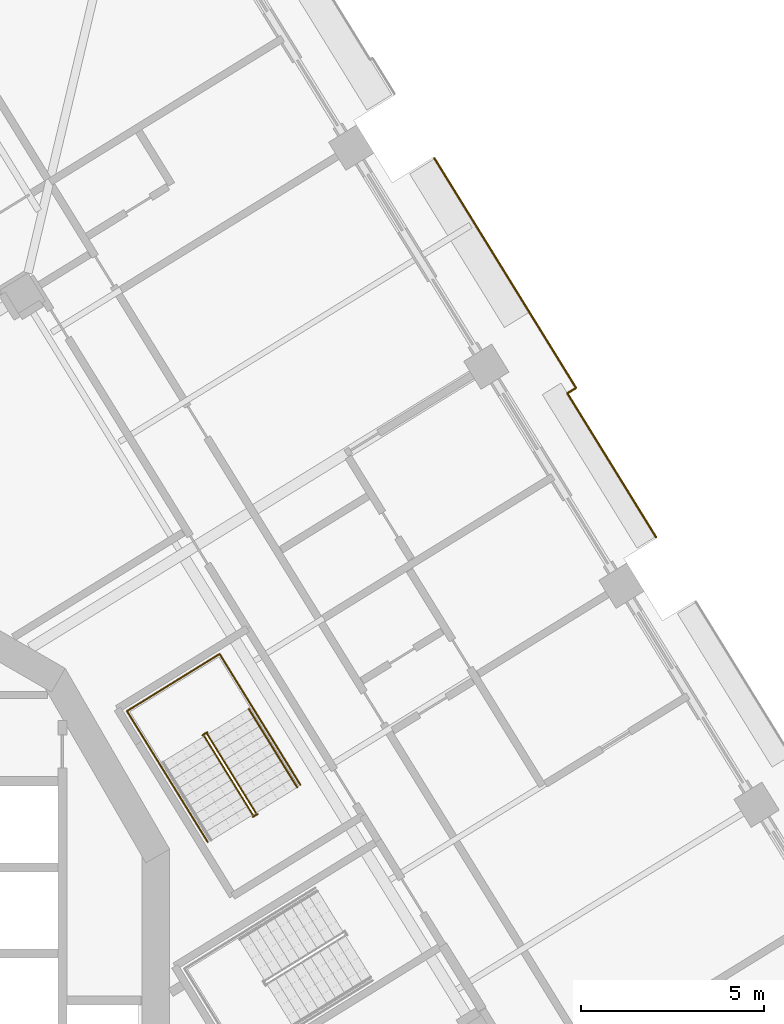
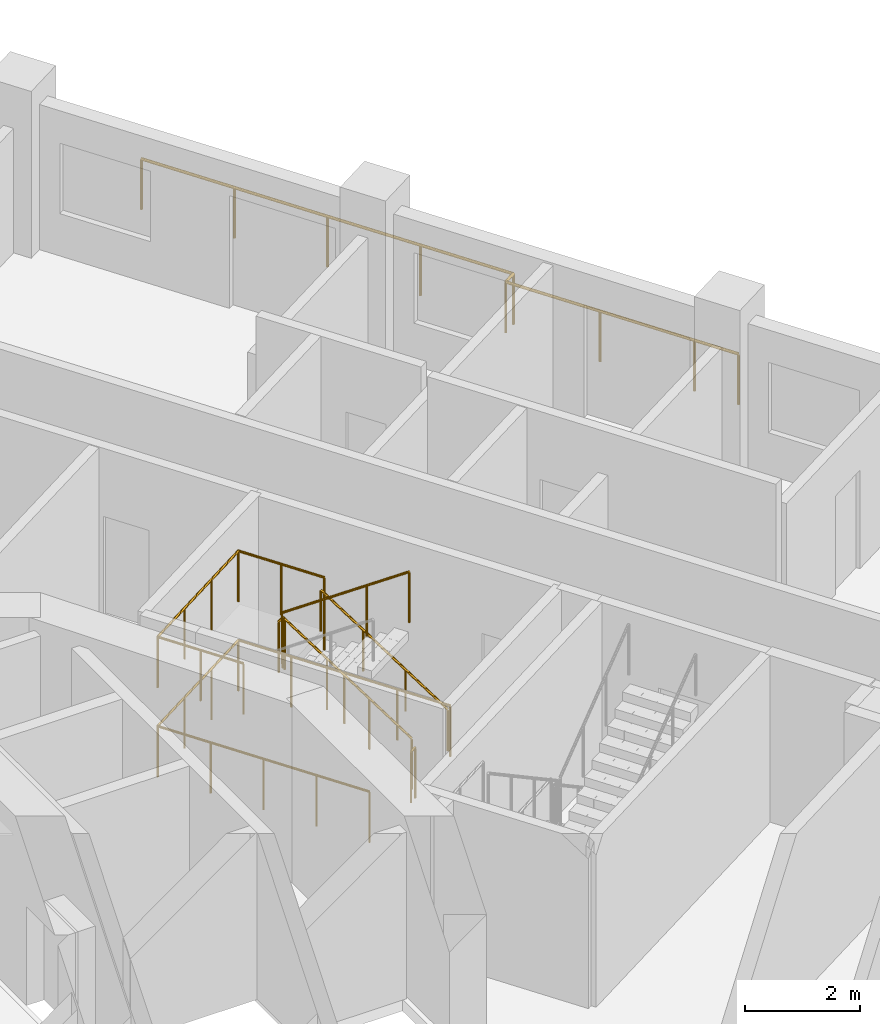
# One storey, part 20 of 22: 8 railings.
"""IFC4 building model written with IfcOpenShell, lengths in metres."""

import ifcopenshell
import ifcopenshell.guid

model = None  # the IFC model being written
_history = None  # IfcOwnerHistory: only IFC2X3 demands one
_inside = {}  # id of a spatial element -> (the spatial element, [elements in it])
_under = {}  # id of a project, library or spatial element -> (it, [spatial elements below it])
_declared = {}  # id of a project -> (the project, [libraries it declares])
_typed = {}  # id of a type object -> (the type object, [elements of that type])
_made_of = {}  # id of a material, layer set ... -> (it, [elements and type objects made of it])


def new_model(schema):
    """Start an empty IFC model of exactly this schema.

    Asked for "IFC4X3", IfcOpenShell would pick the latest addendum, in which some entities
    have other attributes; the version numbers below select the first issue.
    IFC2X3 requires an IfcOwnerHistory on every rooted entity: one is made here for all.
    """
    global model, _history
    if schema == "IFC4X3":
        model = ifcopenshell.file(schema_version=(4, 3, 0, 0))
    else:
        model = ifcopenshell.file(schema=schema)
    _inside.clear()
    _under.clear()
    _declared.clear()
    _typed.clear()
    _made_of.clear()
    _history = None
    if model.schema == "IFC2X3":
        org = make("IfcOrganization", Name="unknown")
        user = make(
            "IfcPersonAndOrganization",
            ThePerson=make("IfcPerson", FamilyName="unknown"),
            TheOrganization=org,
        )
        app = make(
            "IfcApplication",
            ApplicationDeveloper=org,
            Version="unknown",
            ApplicationFullName="unknown",
            ApplicationIdentifier="unknown",
        )
        _history = make(
            "IfcOwnerHistory",
            OwningUser=user,
            OwningApplication=app,
            ChangeAction="ADDED",
            CreationDate=0,
        )
    return model


def make(cls, **values):
    """One entity of the class cls with the attributes given. An attribute that is None is left unset."""
    return model.create_entity(
        cls, **{name: value for name, value in values.items() if value is not None}
    )


def rooted(cls, **values):
    """An entity with a GlobalId (a new one), such as an element, a storey or a relation."""
    return make(cls, GlobalId=ifcopenshell.guid.new(), OwnerHistory=_history, **values)


def si_unit(unit_type, name, prefix=None):
    """IfcSIUnit, for example si_unit("LENGTHUNIT", "METRE", prefix="MILLI")."""
    return make("IfcSIUnit", UnitType=unit_type, Prefix=prefix, Name=name)


def assignment(units):
    """IfcUnitAssignment: the units of a project."""
    return None if units is None else make("IfcUnitAssignment", Units=units)


def point(xyz):
    """IfcCartesianPoint."""
    return None if xyz is None else make("IfcCartesianPoint", Coordinates=xyz)


def direction(xyz):
    """IfcDirection."""
    return None if xyz is None else make("IfcDirection", DirectionRatios=xyz)


def frame(location, z_axis=None, x_axis=None):
    """IfcAxis2Placement3D, a coordinate frame: its origin and axes. An axis left out is left unset."""
    return make(
        "IfcAxis2Placement3D",
        Location=point(location),
        Axis=direction(z_axis),
        RefDirection=direction(x_axis),
    )


def frame_2d(location, x_axis=None):
    """IfcAxis2Placement2D, a coordinate frame in the plane: its origin and x axis."""
    return make(
        "IfcAxis2Placement2D", Location=point(location), RefDirection=direction(x_axis)
    )


def origin():
    """The frame at (0, 0, 0) with its axes left unset."""
    return frame((0.0, 0.0, 0.0))


def origin_2d():
    """The frame at (0, 0) in the plane with its x axis left unset."""
    return frame_2d((0.0, 0.0))


def place(relative_to, where):
    """IfcLocalPlacement: puts the frame where relative to a parent placement (None: the world)."""
    return make(
        "IfcLocalPlacement", PlacementRelTo=relative_to, RelativePlacement=where
    )


def context(
    kind, dimensions, precision=None, world=None, true_north=None, identifier=None
):
    """IfcGeometricRepresentationContext, for example the 3D "Model" context."""
    return make(
        "IfcGeometricRepresentationContext",
        ContextIdentifier=identifier,
        ContextType=kind,
        CoordinateSpaceDimension=dimensions,
        Precision=precision,
        WorldCoordinateSystem=world,
        TrueNorth=true_north,
    )


def subcontext(parent, identifier, kind, view, scale=None):
    """IfcGeometricRepresentationSubContext, for example "Body" below "Model"."""
    return make(
        "IfcGeometricRepresentationSubContext",
        ContextIdentifier=identifier,
        ContextType=kind,
        ParentContext=parent,
        TargetScale=scale,
        TargetView=view,
    )


def project(units=None, contexts=None):
    """IfcProject with its units and contexts."""
    return rooted(
        "IfcProject",
        Name="project",
        RepresentationContexts=contexts,
        UnitsInContext=assignment(units),
    )


def spatial(cls, under=None, at=None, **own):
    """A site, building, storey or space (cls), placed at a placement, below another one or the project."""
    s = rooted(cls, ObjectPlacement=at, **own)
    if under is not None:
        _under.setdefault(under.id(), (under, []))[1].append(s)
    return s


def profile(cls, at=None, kind="AREA", **sizes):
    """A parametric profile (cls). Its sizes go by their IFC names, for example OverallWidth=200.0."""
    return make(cls, ProfileType=kind, Position=at, **sizes)


def circle(**sizes):
    """IfcCircleProfileDef."""
    return profile("IfcCircleProfileDef", **sizes)


def extrude(swept, where, along, depth):
    """IfcExtrudedAreaSolid: the profile swept, set in the frame where, extruded along a direction by depth."""
    return make(
        "IfcExtrudedAreaSolid",
        SweptArea=swept,
        Position=where,
        ExtrudedDirection=direction(along),
        Depth=depth,
    )


def shape(context_of_items, identifier, shape_type, items):
    """IfcShapeRepresentation: the items that make up one representation, for example the "Body"."""
    return make(
        "IfcShapeRepresentation",
        ContextOfItems=context_of_items,
        RepresentationIdentifier=identifier,
        RepresentationType=shape_type,
        Items=items,
    )


def material(Name=None, Category=None):
    """IfcMaterial."""
    return make("IfcMaterial", Name=Name, Category=Category)


def made_of(thing, what):
    """Note that an element or type object is made of a material, layer set ...; save() writes the relation."""
    if what is not None:
        _made_of.setdefault(what.id(), (what, []))[1].append(thing)
    return thing


def type_object(cls, material=None, **own):
    """A type object (cls), such as IfcWallType, which elements share."""
    return made_of(rooted(cls, **own), material)


def element(
    cls,
    number,
    at=None,
    inside=None,
    cuts=None,
    type_object=None,
    material=None,
    context=None,
    identifier="Body",
    shape_type=None,
    held_by="IfcProductDefinitionShape",
    body=None,
    shapes=None,
    **own,
):
    """One element of the class cls, such as IfcWall. Its Tag is "e" and its number.

    at: its placement. inside: the storey or other place that contains it. cuts: it is an
    opening in that element (IfcRelVoidsElement). A single representation is given by context,
    identifier, shape_type and body (its items); several are given by shapes. held_by: the class
    of the entity that holds the representations. save() writes the other relations.
    """
    e = rooted(cls, Tag="e%d" % number, ObjectPlacement=at, **own)
    if body is not None:
        shapes = [shape(context, identifier, shape_type, body)]
    if shapes is not None:
        e.Representation = make(held_by, Representations=shapes)
    if inside is not None:
        _inside.setdefault(inside.id(), (inside, []))[1].append(e)
    if cuts is not None:
        rooted(
            "IfcRelVoidsElement", RelatingBuildingElement=cuts, RelatedOpeningElement=e
        )
    if type_object is not None:
        _typed.setdefault(type_object.id(), (type_object, []))[1].append(e)
    return made_of(e, material)


def aggregate(whole, parts):
    """IfcRelAggregates: a whole, such as a stair, and the parts it consists of."""
    return rooted("IfcRelAggregates", RelatingObject=whole, RelatedObjects=parts)


def save(model, path):
    """Write the relations noted so far, then the file.

    IfcRelAggregates (storeys below a building ...), IfcRelContainedInSpatialStructure (elements
    in a storey), IfcRelDefinesByType, IfcRelAssociatesMaterial and IfcRelDeclares: one each for
    every whole, place, type object, material and project.
    """
    for whole, parts in _under.values():
        aggregate(whole, parts)
    for where, things in _inside.values():
        rooted(
            "IfcRelContainedInSpatialStructure",
            RelatedElements=things,
            RelatingStructure=where,
        )
    for kind, things in _typed.values():
        rooted("IfcRelDefinesByType", RelatedObjects=things, RelatingType=kind)
    for what, things in _made_of.values():
        rooted("IfcRelAssociatesMaterial", RelatedObjects=things, RelatingMaterial=what)
    for by, libraries in _declared.values():
        rooted("IfcRelDeclares", RelatingContext=by, RelatedDefinitions=libraries)
    model.write(path)


model = new_model("IFC4")

# Units and contexts
model_context = context("Model", 3, precision=1e-05, world=origin(), true_north=direction((0.0, 1.0)))
body_context = subcontext(model_context, "Body", "Model", "MODEL_VIEW")
ifc_project = project(units=[si_unit("LENGTHUNIT", "METRE"), si_unit("AREAUNIT", "SQUARE_METRE"), si_unit("VOLUMEUNIT", "CUBIC_METRE"), si_unit("PLANEANGLEUNIT", "RADIAN"), si_unit("MASSUNIT", "GRAM", prefix="KILO")], contexts=[model_context])

# Site, building, storey
site_placement = place(None, origin())
site = spatial("IfcSite", under=ifc_project, at=site_placement, CompositionType="ELEMENT")
building_placement = place(site_placement, origin())
building = spatial("IfcBuilding", under=site, at=building_placement, Name="Cantera Rosa Tower", CompositionType="ELEMENT")
storey_placement = place(building_placement, frame((0.0, 0.0, 174.199951171875)))
storey = spatial("IfcBuildingStorey", under=building, at=storey_placement, Name="L38", CompositionType="ELEMENT", Elevation=174.199951171875)

# Railings
ifc_material_1 = material(Name="Stainless steel and laminated glass", Category="steel")
railing_type_1 = type_object("IfcRailingType", Name="GUARD 1100", PredefinedType="BALUSTRADE", material=ifc_material_1)
railing_1_placement = place(storey_placement, frame((21.7138671875, 15.426513671875, 0.0)))
element("IfcRailing", 1, at=railing_1_placement, inside=storey, type_object=railing_type_1, Name="GUARD L38-12", PredefinedType="BALUSTRADE", context=body_context, shape_type="SweptSolid", body=[
    extrude(circle(Radius=0.030029296875, at=origin_2d()), frame((0.0, 0.0, 1.070068359375), z_axis=(-0.850637179095, -0.525753164081, 0.0), x_axis=(0.525753164081, -0.850637179095, 0.0)), (0.0, 0.0, 1.0), 0.279541015625),
    extrude(circle(Radius=0.030029296875, at=origin_2d()), frame((-0.23779296875, -0.14697265625, 1.070068359375), z_axis=(0.524949392949, -0.851133441267, 0.0), x_axis=(0.851133441267, 0.524949392949, 0.0)), (0.0, 0.0, 1.0), 3.740234375),
    extrude(circle(Radius=0.030029296875, at=origin_2d()), frame((1.7255859375, -3.330322265625, 1.070068359375), z_axis=(0.525020841331, -0.851089370259, 0.0), x_axis=(0.851089370259, 0.525020841331, 0.0)), (0.0, 0.0, 1.0), 0.8701171875),
    extrude(circle(Radius=0.02490234375, at=origin_2d()), origin(), (0.0, 0.0, 1.0), 1.0400390625),
    extrude(circle(Radius=0.02490234375, at=origin_2d()), frame((-0.23779296875, -0.14697265625, 0.0)), (0.0, 0.0, 1.0), 1.0400390625),
    extrude(circle(Radius=0.02490234375, at=origin_2d()), frame((0.743896484375, -1.73876953125, 0.0)), (0.0, 0.0, 1.0), 1.0400390625),
    extrude(circle(Radius=0.02490234375, at=origin_2d()), frame((1.7255859375, -3.330322265625, 0.0)), (0.0, 0.0, 1.0), 1.0400390625),
    extrude(circle(Radius=0.02490234375, at=origin_2d()), frame((2.182373046875, -4.07080078125, 0.0)), (0.0, 0.0, 1.0), 1.0400390625),
])
railing_2_placement = place(storey_placement, frame((17.844970703125, 21.69873046875, 0.0)))
element("IfcRailing", 2, at=railing_2_placement, inside=storey, type_object=railing_type_1, Name="GUARD L38-13", PredefinedType="BALUSTRADE", context=body_context, shape_type="SweptSolid", body=[
    extrude(circle(Radius=0.030029296875, at=origin_2d()), frame((0.0, 0.0, 1.070068359375), z_axis=(0.524989905381, -0.851108453282, 0.0), x_axis=(0.851108453282, 0.524989905381, 0.0)), (0.0, 0.0, 1.0), 7.369384765625),
    extrude(circle(Radius=0.02490234375, at=origin_2d()), origin(), (0.0, 0.0, 1.0), 1.0400390625),
    extrude(circle(Radius=0.02490234375, at=origin_2d()), frame((0.96728515625, -1.568115234375, 0.0)), (0.0, 0.0, 1.0), 1.0400390625),
    extrude(circle(Radius=0.02490234375, at=origin_2d()), frame((1.9345703125, -3.13623046875, 0.0)), (0.0, 0.0, 1.0), 1.0400390625),
    extrude(circle(Radius=0.02490234375, at=origin_2d()), frame((2.901611328125, -4.7041015625, 0.0)), (0.0, 0.0, 1.0), 1.0400390625),
    extrude(circle(Radius=0.02490234375, at=origin_2d()), frame((3.868896484375, -6.272216796875, 0.0)), (0.0, 0.0, 1.0), 1.0400390625),
])
ifc_material_2 = material(Name="Steel S355J2 (EN 10025-2)", Category="steel")
railing_type_2 = type_object("IfcRailingType", Name="STAIR GUARD 1100", PredefinedType="GUARDRAIL", material=ifc_material_2)
railing_3_placement = place(storey_placement, frame((12.9765625, 3.834228515625, 0.18994140625)))
element("IfcRailing", 3, at=railing_3_placement, inside=storey, type_object=railing_type_2, Name="L38 ST-31 stair guard 1", PredefinedType="GUARDRAIL", context=body_context, shape_type="SweptSolid", body=[
    extrude(circle(Radius=0.02392578125, at=origin_2d()), frame((0.0, 0.0, 1.076171875), z_axis=(-0.434343018426, 0.704264196543, 0.561567523823), x_axis=(-0.851145618652, -0.524929648476, 0.0)), (0.0, 0.0, 1.0), 3.04541015625),
    extrude(circle(Radius=0.02392578125, at=origin_2d()), frame((-1.32275390625, 2.144775390625, 2.7861328125), z_axis=(-0.073711968402, 0.997279572494, 0.0), x_axis=(-0.997279572494, -0.073711968402, 0.0)), (0.0, 0.0, 1.0), 0.056396484375),
    extrude(circle(Radius=0.02392578125, at=origin_2d()), frame((-1.326904296875, 2.200927734375, 2.7861328125), z_axis=(-0.851546489876, -0.524279100842, 0.0), x_axis=(0.524279100842, -0.851546489876, 0.0)), (0.0, 0.0, 1.0), 0.14990234375),
    extrude(circle(Radius=0.02099609375, at=origin_2d()), origin(), (0.0, 0.0, 1.0), 1.052001953125),
    extrude(circle(Radius=0.02099609375, at=origin_2d()), frame((-0.44091796875, 0.71484375, 0.570068359375)), (0.0, 0.0, 1.0), 1.052001953125),
    extrude(circle(Radius=0.02099609375, at=origin_2d()), frame((-0.8818359375, 1.429931640625, 1.14013671875)), (0.0, 0.0, 1.0), 1.052001953125),
    extrude(circle(Radius=0.02099609375, at=origin_2d()), frame((-1.32275390625, 2.144775390625, 1.710205078125)), (0.0, 0.0, 1.0), 1.052001953125),
    extrude(circle(Radius=0.02099609375, at=origin_2d()), frame((-1.326904296875, 2.200927734375, 1.710205078125)), (0.0, 0.0, 1.0), 1.052001953125),
    extrude(circle(Radius=0.02099609375, at=origin_2d()), frame((-1.45458984375, 2.122314453125, 1.710205078125)), (0.0, 0.0, 1.0), 1.052001953125),
])
railing_4_placement = place(storey_placement, frame((11.5703125, 5.927490234375, 2.090087890625)))
element("IfcRailing", 4, at=railing_4_placement, inside=storey, type_object=railing_type_2, Name="L38 ST-31 stair guard 2", PredefinedType="GUARDRAIL", context=body_context, shape_type="SweptSolid", body=[
    extrude(circle(Radius=0.02392578125, at=origin_2d()), frame((0.0, 0.0, 1.076171875), z_axis=(0.434427613125, -0.704271375033, 0.561493080334), x_axis=(0.851102330005, 0.524999832248, 0.0)), (0.0, 0.0, 1.0), 3.04541015625),
    extrude(circle(Radius=0.02099609375, at=origin_2d()), origin(), (0.0, 0.0, 1.0), 1.052001953125),
    extrude(circle(Radius=0.02099609375, at=origin_2d()), frame((0.44091796875, -0.71484375, 0.570068359375)), (0.0, 0.0, 1.0), 1.052001953125),
    extrude(circle(Radius=0.02099609375, at=origin_2d()), frame((0.882080078125, -1.429931640625, 1.139892578125)), (0.0, 0.0, 1.0), 1.052001953125),
    extrude(circle(Radius=0.02099609375, at=origin_2d()), frame((1.322998046875, -2.144775390625, 1.7099609375)), (0.0, 0.0, 1.0), 1.052001953125),
])
railing_5_placement = place(storey_placement, frame((13.025146484375, 3.80517578125, 0.0)))
element("IfcRailing", 5, at=railing_5_placement, inside=storey, type_object=railing_type_2, Name="L38 ST-31 stair guard 3", PredefinedType="GUARDRAIL", context=body_context, shape_type="SweptSolid", body=[
    extrude(circle(Radius=0.02392578125, at=origin_2d()), frame((0.0, 0.0, 1.076171875), z_axis=(-0.851546489876, -0.524279100842, 0.0), x_axis=(0.524279100842, -0.851546489876, 0.0)), (0.0, 0.0, 1.0), 0.14990234375),
    extrude(circle(Radius=0.02099609375, at=origin_2d()), origin(), (0.0, 0.0, 1.0), 1.052001953125),
    extrude(circle(Radius=0.02099609375, at=origin_2d()), frame((-0.127685546875, -0.07861328125, 0.0)), (0.0, 0.0, 1.0), 1.052001953125),
])
railing_6_placement = place(storey_placement, frame((14.192626953125, 4.59814453125, 0.0)))
element("IfcRailing", 6, at=railing_6_placement, inside=storey, type_object=railing_type_2, Name="L38 ST-31 stair guard 4", PredefinedType="GUARDRAIL", context=body_context, shape_type="SweptSolid", body=[
    extrude(circle(Radius=0.02392578125, at=origin_2d()), frame((0.0, 0.0, 1.076171875), z_axis=(-0.524976478809, 0.851116735059, 0.0), x_axis=(-0.851116735059, -0.524976478809, 0.0)), (0.0, 0.0, 1.0), 4.197998046875),
    extrude(circle(Radius=0.02392578125, at=origin_2d()), frame((-2.203857421875, 3.572998046875, 1.076171875), z_axis=(-0.851132917336, -0.524950242429, 0.0), x_axis=(0.524950242429, -0.851132917336, 0.0)), (0.0, 0.0, 1.0), 2.969970703125),
    extrude(circle(Radius=0.02392578125, at=origin_2d()), frame((-4.731689453125, 2.013916015625, 1.076171875), z_axis=(0.524976478809, -0.851116735059, 0.0), x_axis=(0.851116735059, 0.524976478809, 0.0)), (0.0, 0.0, 1.0), 4.197998046875),
    extrude(circle(Radius=0.02099609375, at=origin_2d()), origin(), (0.0, 0.0, 1.0), 1.052001953125),
    extrude(circle(Radius=0.02099609375, at=origin_2d()), frame((-0.551025390625, 0.893310546875, 0.0)), (0.0, 0.0, 1.0), 1.052001953125),
    extrude(circle(Radius=0.02099609375, at=origin_2d()), frame((-1.10205078125, 1.78662109375, 0.0)), (0.0, 0.0, 1.0), 1.052001953125),
    extrude(circle(Radius=0.02099609375, at=origin_2d()), frame((-1.65283203125, 2.6796875, 0.0)), (0.0, 0.0, 1.0), 1.052001953125),
    extrude(circle(Radius=0.02099609375, at=origin_2d()), frame((-2.203857421875, 3.572998046875, 0.0)), (0.0, 0.0, 1.0), 1.052001953125),
    extrude(circle(Radius=0.02099609375, at=origin_2d()), frame((-3.04638671875, 3.05322265625, 0.0)), (0.0, 0.0, 1.0), 1.052001953125),
    extrude(circle(Radius=0.02099609375, at=origin_2d()), frame((-3.88916015625, 2.53369140625, 0.0)), (0.0, 0.0, 1.0), 1.052001953125),
    extrude(circle(Radius=0.02099609375, at=origin_2d()), frame((-4.731689453125, 2.013916015625, 0.0)), (0.0, 0.0, 1.0), 1.052001953125),
    extrude(circle(Radius=0.02099609375, at=origin_2d()), frame((-4.1806640625, 1.12060546875, 0.0)), (0.0, 0.0, 1.0), 1.052001953125),
    extrude(circle(Radius=0.02099609375, at=origin_2d()), frame((-3.6298828125, 0.2275390625, 0.0)), (0.0, 0.0, 1.0), 1.052001953125),
    extrude(circle(Radius=0.02099609375, at=origin_2d()), frame((-3.078857421875, -0.665771484375, 0.0)), (0.0, 0.0, 1.0), 1.052001953125),
    extrude(circle(Radius=0.02099609375, at=origin_2d()), frame((-2.52783203125, -1.55908203125, 0.0)), (0.0, 0.0, 1.0), 1.052001953125),
])
railing_7_placement = place(storey_placement, frame((12.88232421875, 6.72265625, 1.900146484375)))
element("IfcRailing", 7, at=railing_7_placement, inside=storey, type_object=railing_type_2, Name="L38 ST-31 stair guard 5", PredefinedType="GUARDRAIL", context=body_context, shape_type="SweptSolid", body=[
    extrude(circle(Radius=0.02392578125, at=origin_2d()), frame((0.0, 0.0, 1.076171875), z_axis=(-0.525025534833, 0.851086474909, 0.0), x_axis=(-0.851086474909, -0.525025534833, 0.0)), (0.0, 0.0, 1.0), 1.701904296875),
    extrude(circle(Radius=0.02392578125, at=origin_2d()), frame((-0.8935546875, 1.448486328125, 1.076171875), z_axis=(-0.851132917336, -0.524950242429, 0.0), x_axis=(0.524950242429, -0.851132917336, 0.0)), (0.0, 0.0, 1.0), 2.969970703125),
    extrude(circle(Radius=0.02392578125, at=origin_2d()), frame((-3.42138671875, -0.110595703125, 1.076171875), z_axis=(0.524961441845, -0.851126009811, 0.0), x_axis=(0.851126009811, 0.524961441845, 0.0)), (0.0, 0.0, 1.0), 1.7021484375),
    extrude(circle(Radius=0.02099609375, at=origin_2d()), origin(), (0.0, 0.0, 1.0), 1.052001953125),
    extrude(circle(Radius=0.02099609375, at=origin_2d()), frame((-0.44677734375, 0.72412109375, 0.0)), (0.0, 0.0, 1.0), 1.052001953125),
    extrude(circle(Radius=0.02099609375, at=origin_2d()), frame((-0.8935546875, 1.448486328125, 0.0)), (0.0, 0.0, 1.0), 1.052001953125),
    extrude(circle(Radius=0.02099609375, at=origin_2d()), frame((-1.736083984375, 0.9287109375, 0.0)), (0.0, 0.0, 1.0), 1.052001953125),
    extrude(circle(Radius=0.02099609375, at=origin_2d()), frame((-2.578857421875, 0.4091796875, 0.0)), (0.0, 0.0, 1.0), 1.052001953125),
    extrude(circle(Radius=0.02099609375, at=origin_2d()), frame((-3.42138671875, -0.110595703125, 0.0)), (0.0, 0.0, 1.0), 1.052001953125),
    extrude(circle(Radius=0.02099609375, at=origin_2d()), frame((-2.974609375, -0.8349609375, 0.0)), (0.0, 0.0, 1.0), 1.052001953125),
    extrude(circle(Radius=0.02099609375, at=origin_2d()), frame((-2.52783203125, -1.559326171875, 0.0)), (0.0, 0.0, 1.0), 1.052001953125),
])
ifc_material_3 = material(Name="Steel S355J2 (EN 10025-2)", Category="steel")
railing_type_3 = type_object("IfcRailingType", Name="STAIR HANDRAIL 900", PredefinedType="HANDRAIL", material=ifc_material_3)
railing_8_placement = place(storey_placement, frame((14.105224609375, 4.5302734375, 0.18994140625)))
element("IfcRailing", 8, at=railing_8_placement, inside=storey, type_object=railing_type_3, Name="L38 ST-31 stair handrail 1", PredefinedType="HANDRAIL", context=body_context, shape_type="SweptSolid", body=[
    extrude(circle(Radius=0.02392578125, at=origin_2d()), frame((0.0, 0.0, 0.8759765625), z_axis=(-0.434408057947, 0.704239673199, 0.561547969352), x_axis=(-0.851102330005, -0.524999832248, 0.0)), (0.0, 0.0, 1.0), 3.04541015625),
    extrude(circle(Radius=0.02099609375, at=origin_2d()), origin(), (0.0, 0.0, 1.0), 0.851806640625),
    extrude(circle(Radius=0.02099609375, at=origin_2d()), frame((-0.44091796875, 0.71484375, 0.570068359375)), (0.0, 0.0, 1.0), 0.851806640625),
    extrude(circle(Radius=0.02099609375, at=origin_2d()), frame((-0.882080078125, 1.429931640625, 1.14013671875)), (0.0, 0.0, 1.0), 0.851806640625),
    extrude(circle(Radius=0.02099609375, at=origin_2d()), frame((-1.322998046875, 2.144775390625, 1.710205078125)), (0.0, 0.0, 1.0), 0.851806640625),
])

save(model, "model.ifc")
